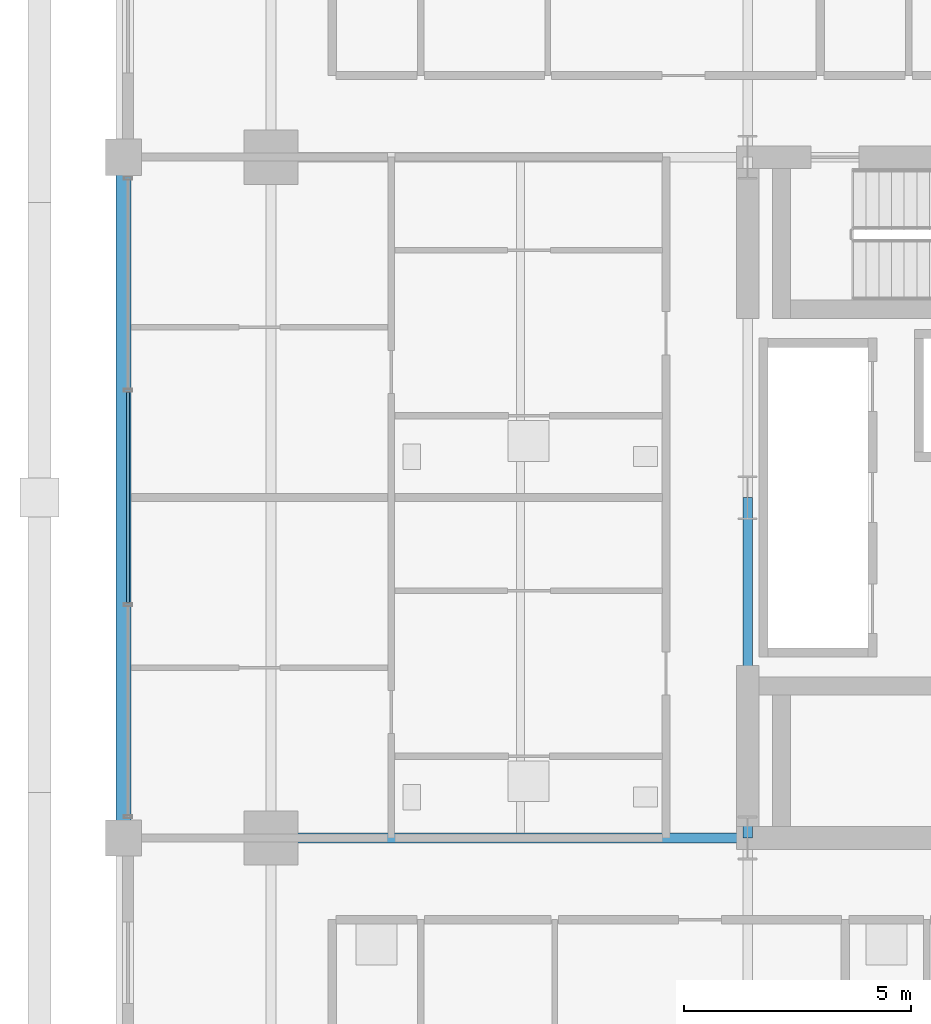
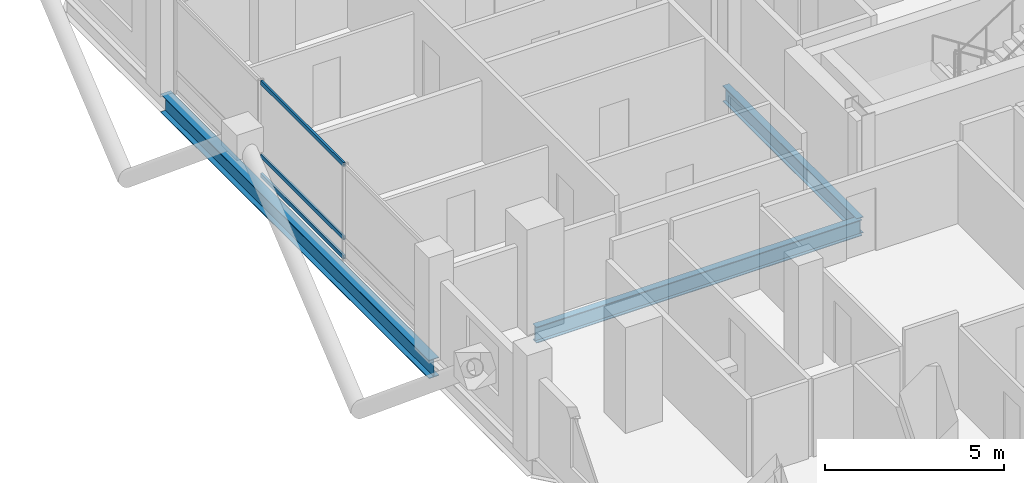
# One storey, part 5 of 23: 3 beams, 3 members, 1 element without a shape of its own.
"""IFC4 building model written with IfcOpenShell, lengths in metres."""

from ifc_helpers import new_model, si_unit, direction, frame, origin, origin_2d, place, context, subcontext, project, spatial, hollow_rectangle, i_section, extrude, material, layer, layer_set, material_profile, profile_set, type_object, element, aggregate, save


model = new_model("IFC4")

# Units and contexts
model_context = context("Model", 3, precision=1e-05, world=origin(), true_north=direction((0.0, 1.0)))
body_context = subcontext(model_context, "Body", "Model", "MODEL_VIEW")
ifc_project = project(units=[si_unit("LENGTHUNIT", "METRE"), si_unit("AREAUNIT", "SQUARE_METRE"), si_unit("VOLUMEUNIT", "CUBIC_METRE"), si_unit("PLANEANGLEUNIT", "RADIAN"), si_unit("MASSUNIT", "GRAM", prefix="KILO")], contexts=[model_context])

# Site, building, storey
site_placement = place(None, origin())
site = spatial("IfcSite", under=ifc_project, at=site_placement, CompositionType="ELEMENT")
building_placement = place(site_placement, origin())
building = spatial("IfcBuilding", under=site, at=building_placement, Name="Barlavira Tower and Art Museum", CompositionType="ELEMENT")
storey_placement = place(building_placement, frame((0.0, 0.0, 117.0)))
storey = spatial("IfcBuildingStorey", under=building, at=storey_placement, Name="L29", CompositionType="ELEMENT", Elevation=117.0)

# Curtain wall, members
ifc_material_1 = material(Name="Low-iron coastal laminated glass", Category="glass")
ifc_layer = layer(ifc_material_1, 0.18994140625, Name="Low-iron coastal laminated glass")
ifc_layer_set = layer_set([ifc_layer], Name="Low-iron coastal laminated glass")
curtain_wall_type = type_object("IfcCurtainWallType", Name="Pale-Metal Unitised Curtain Wall Zone 2", PredefinedType="NOTDEFINED", material=ifc_layer_set)
curtain_wall_placement = place(storey_placement, origin())
curtain_wall = element("IfcCurtainWall", 1, at=curtain_wall_placement, inside=storey, type_object=curtain_wall_type, Name="L29 Curtain Wall CW2-L29-W-B3", PredefinedType="NOTDEFINED")
ifc_material_2 = material(Name="Pale anodised aluminium", Category="aluminium")
ifc_material_profile_1 = material_profile(ifc_material_2, hollow_rectangle(XDim=0.06494140625, YDim=0.139892578125, WallThickness=0.00390625, at=origin_2d()), Name="ALU-TRAN 65x140x4")
ifc_profile_set_1 = profile_set([ifc_material_profile_1], Name="Pale anodised aluminium")
member_type = type_object("IfcMemberType", Name="Curtain Wall Pale-Metal Transom 65x140", PredefinedType="USERDEFINED", material=ifc_profile_set_1)
member_1_placement = place(storey_placement, frame((-20.14990234375, 2.31494140625, 0.070068359375), z_axis=(0.0, -1.0, 0.0), x_axis=(1.0, 0.0, 0.0)))
member_1 = element("IfcMember", 2, at=member_1_placement, type_object=member_type, Name="CW2-L29-W-B3 Transom 1.1", ObjectType="TRANSOM", PredefinedType="USERDEFINED", context=body_context, shape_type="SweptSolid", body=[
    extrude(hollow_rectangle(XDim=0.06494140625, YDim=0.139892578125, WallThickness=0.00390625, at=origin_2d()), origin(), (0.0, 0.0, 1.0), 4.6298828125),
])
member_2_placement = place(storey_placement, frame((-20.14990234375, 2.31494140625, 0.72607421875), z_axis=(0.0, -1.0, 0.0), x_axis=(1.0, 0.0, 0.0)))
member_2 = element("IfcMember", 3, at=member_2_placement, type_object=member_type, Name="CW2-L29-W-B3 Transom 1.2", ObjectType="TRANSOM", PredefinedType="USERDEFINED", context=body_context, shape_type="SweptSolid", body=[
    extrude(hollow_rectangle(XDim=0.06494140625, YDim=0.139892578125, WallThickness=0.00390625, at=origin_2d()), origin(), (0.0, 0.0, 1.0), 4.6298828125),
])
member_3_placement = place(storey_placement, frame((-20.14990234375, 2.31494140625, 3.22998046875), z_axis=(0.0, -1.0, 0.0), x_axis=(1.0, 0.0, 0.0)))
member_3 = element("IfcMember", 4, at=member_3_placement, type_object=member_type, Name="CW2-L29-W-B3 Transom 1.3", ObjectType="TRANSOM", PredefinedType="USERDEFINED", context=body_context, shape_type="SweptSolid", body=[
    extrude(hollow_rectangle(XDim=0.06494140625, YDim=0.139892578125, WallThickness=0.00390625, at=origin_2d()), origin(), (0.0, 0.0, 1.0), 4.6298828125),
])
aggregate(curtain_wall, [member_1, member_2, member_3])

# Beams
ifc_material_3 = material(Name="Steel S355", Category="steel")
ifc_material_profile_2 = material_profile(ifc_material_3, i_section(OverallWidth=0.327880859375, OverallDepth=0.62890625, WebThickness=0.013916015625, FlangeThickness=0.021484375, at=origin_2d()), Name="W610x174.0")
ifc_profile_set_2 = profile_set([ifc_material_profile_2], Name="Steel S355")
beam_type_1 = type_object("IfcBeamType", Name="Perimeter Spandrel Edge Beam W610x174 Steel S355", PredefinedType="SPANDREL", material=ifc_profile_set_2)
beam_1_placement = place(storey_placement, frame((-20.25, -7.5, -0.534423828125), z_axis=(0.0, 1.0, 0.0), x_axis=(-1.0, 0.0, 0.0)))
element("IfcBeam", 5, at=beam_1_placement, inside=storey, type_object=beam_type_1, Name="L29 Spandrel 14", PredefinedType="SPANDREL", context=body_context, shape_type="SweptSolid", body=[
    extrude(i_section(OverallWidth=0.327880859375, OverallDepth=0.62890625, WebThickness=0.013916015625, FlangeThickness=0.021484375, at=origin_2d()), origin(), (0.0, 0.0, 1.0), 15.0),
])
ifc_material_profile_3 = material_profile(ifc_material_3, i_section(OverallWidth=0.214111328125, OverallDepth=0.549072265625, WebThickness=0.0146484375, FlangeThickness=0.023681640625, at=origin_2d()), Name="W530x138.0")
ifc_profile_set_3 = profile_set([ifc_material_profile_3], Name="Steel S355")
beam_type_2 = type_object("IfcBeamType", Name="Zone 1 Primary Floor Girder W530x138 Steel S355", PredefinedType="BEAM", material=ifc_profile_set_3)
beam_2_placement = place(storey_placement, frame((-6.5, -7.5, -0.494384765625), z_axis=(0.0, 1.0, 0.0), x_axis=(-1.0, 0.0, 0.0)))
element("IfcBeam", 6, at=beam_2_placement, inside=storey, type_object=beam_type_2, Name="L29 Girder C-W1", PredefinedType="BEAM", context=body_context, shape_type="SweptSolid", body=[
    extrude(i_section(OverallWidth=0.214111328125, OverallDepth=0.549072265625, WebThickness=0.0146484375, FlangeThickness=0.023681640625, at=origin_2d()), origin(), (0.0, 0.0, 1.0), 7.5),
])
beam_3_placement = place(storey_placement, frame((-17.0, -7.5, -0.494384765625), z_axis=(1.0, 0.0, 0.0), x_axis=(0.0, 1.0, 0.0)))
element("IfcBeam", 7, at=beam_3_placement, inside=storey, type_object=beam_type_2, Name="L29 Girder R-W1", PredefinedType="BEAM", context=body_context, shape_type="SweptSolid", body=[
    extrude(i_section(OverallWidth=0.214111328125, OverallDepth=0.549072265625, WebThickness=0.0146484375, FlangeThickness=0.023681640625, at=origin_2d()), origin(), (0.0, 0.0, 1.0), 10.5),
])

save(model, "model.ifc")
